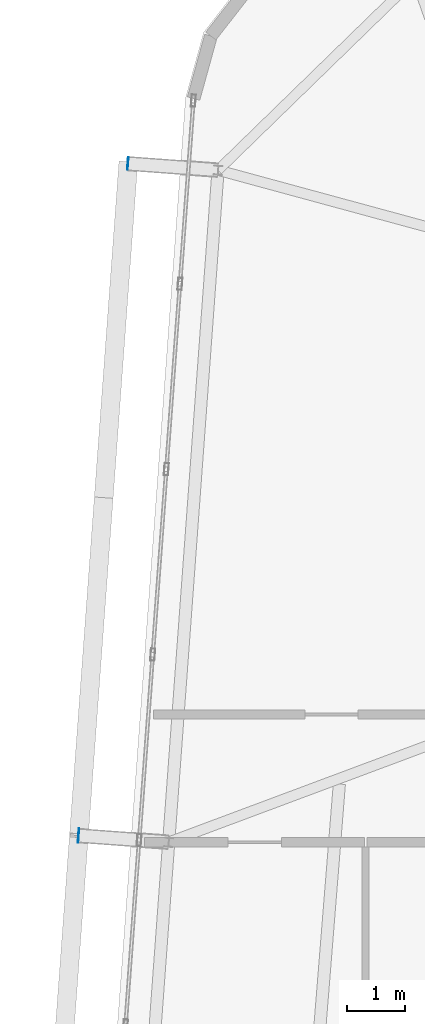
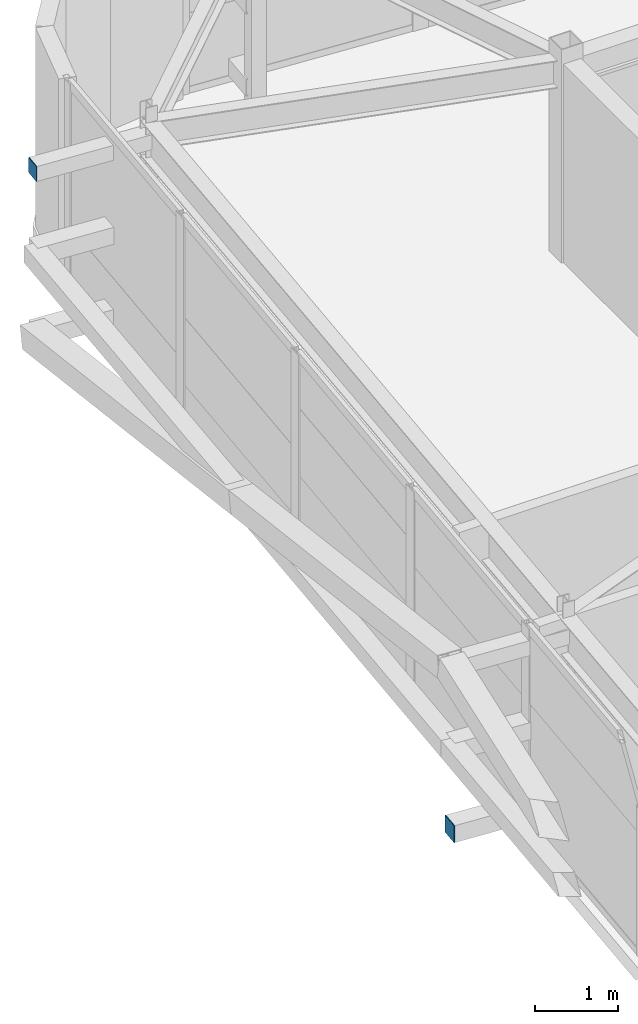
# One storey, part 33 of 42: 2 plates.
"""IFC4 building model written with IfcOpenShell, lengths in metres."""

from ifc_helpers import new_model, si_unit, direction, frame, origin, origin_2d, place, context, subcontext, project, spatial, rectangle, extrude, source, transform, mapped, material, layer, layer_set, type_object, element, save


model = new_model("IFC4")

# Units and contexts
model_context = context("Model", 3, precision=1e-05, world=origin(), true_north=direction((0.0, 1.0)))
body_context = subcontext(model_context, "Body", "Model", "MODEL_VIEW")
ifc_project = project(units=[si_unit("LENGTHUNIT", "METRE"), si_unit("AREAUNIT", "SQUARE_METRE"), si_unit("VOLUMEUNIT", "CUBIC_METRE"), si_unit("PLANEANGLEUNIT", "RADIAN"), si_unit("MASSUNIT", "GRAM", prefix="KILO")], contexts=[model_context])

# Site, building, storey
site_placement = place(None, origin())
site = spatial("IfcSite", under=ifc_project, at=site_placement, CompositionType="ELEMENT")
building_placement = place(site_placement, origin())
building = spatial("IfcBuilding", under=site, at=building_placement, Name="Taldren Reach Tower", CompositionType="ELEMENT")
storey_placement = place(building_placement, frame((0.0, 0.0, 217.699951171875)))
storey = spatial("IfcBuildingStorey", under=building, at=storey_placement, Name="L66", CompositionType="ELEMENT", Elevation=217.699951171875)

# Plates
ifc_material_1 = material(Name="Steel Gr 350 (C350L0)", Category="steel")
ifc_layer_1 = layer(ifc_material_1, 0.011962890625)
ifc_layer_set_1 = layer_set([ifc_layer_1], Name="Steel Gr 350 (C350L0)")
plate_type_1 = type_object("IfcPlateType", Name="PL-CAP-250", PredefinedType="SHEET", material=ifc_layer_set_1)
shared_shape_1 = source(origin(), body_context, "Body", "SweptSolid", [
    extrude(rectangle(XDim=0.011962890625, YDim=0.25, at=origin_2d()), origin(), (0.0, 0.0, 1.0), 0.25),
])
plate_1_placement = place(storey_placement, frame((11.556884765625, 21.914306640625, 0.094970703125), z_axis=(0.0, 0.0, 1.0), x_axis=(0.997314477224, -0.073238197128, 0.0)))
element("IfcPlate", 1, at=plate_1_placement, inside=storey, type_object=plate_type_1, Name="Tie strut end cap plate B5-W2 L66", PredefinedType="SHEET", context=body_context, shape_type="MappedRepresentation", body=[
    mapped(shared_shape_1, transform((0.0, 0.0, 0.0), scale=1.0)),
])
ifc_material_2 = material(Name="Steel Gr 450 (C450L0)", Category="steel")
ifc_layer_2 = layer(ifc_material_2, 0.011962890625)
ifc_layer_set_2 = layer_set([ifc_layer_2], Name="Steel Gr 450 (C450L0)")
plate_type_2 = type_object("IfcPlateType", Name="PL-CAP-220", PredefinedType="SHEET", material=ifc_layer_set_2)
shared_shape_2 = source(origin(), body_context, "Body", "SweptSolid", [
    extrude(rectangle(XDim=0.011962890625, YDim=0.219970703125, at=origin_2d()), origin(), (0.0, 0.0, 1.0), 0.219970703125),
])
plate_2_placement = place(storey_placement, frame((12.406494140625, 33.483154296875, 2.5400390625), z_axis=(0.0, 0.0, 1.0), x_axis=(0.997314477224, -0.073238197128, 0.0)))
element("IfcPlate", 2, at=plate_2_placement, inside=storey, type_object=plate_type_2, Name="Tie strut end cap plate B5-W3 L66", PredefinedType="SHEET", context=body_context, shape_type="MappedRepresentation", body=[
    mapped(shared_shape_2, transform((0.0, 0.0, 0.0), scale=1.0)),
])

save(model, "model.ifc")
